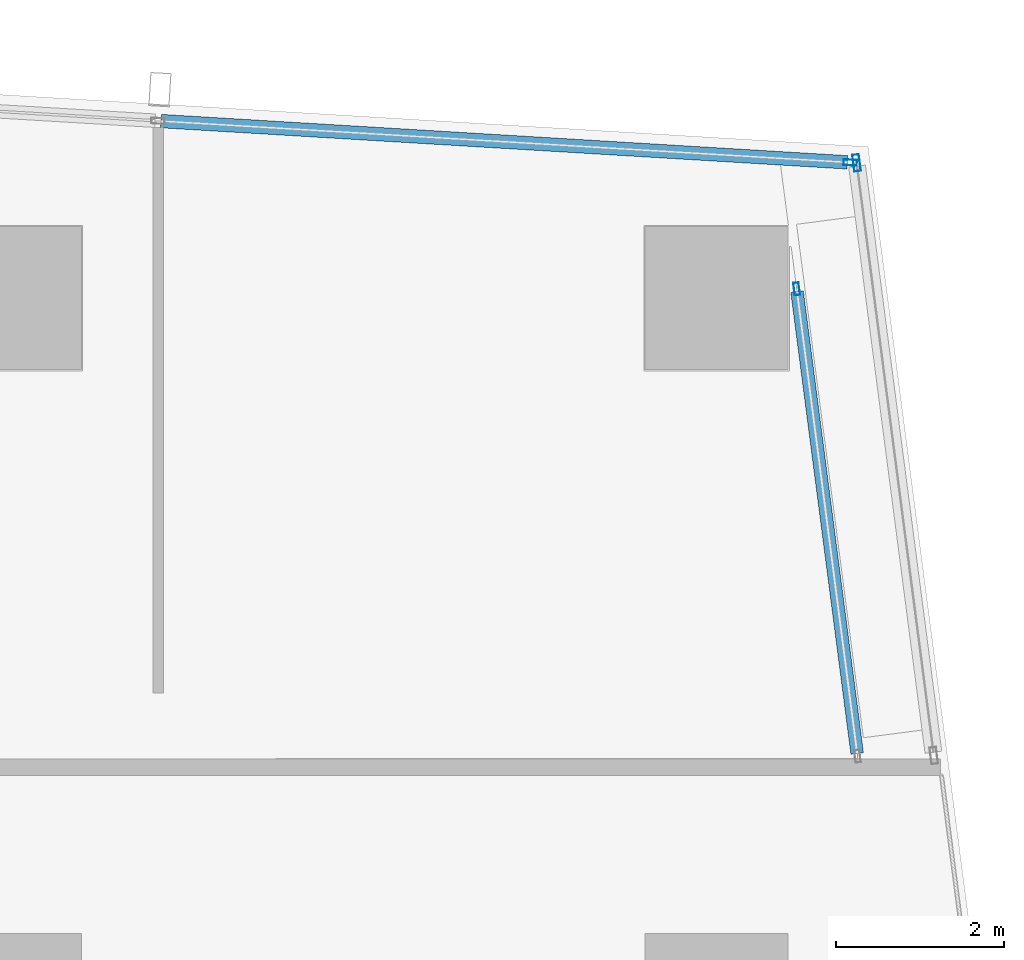
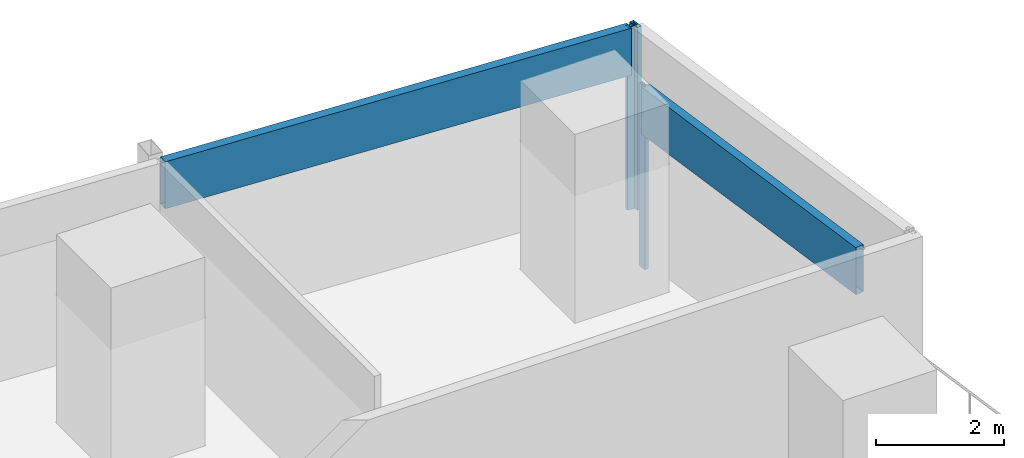
# One storey, part 22 of 40: 5 members, 3 elements without a shape of their own.
"""IFC4 building model written with IfcOpenShell, lengths in metres."""

from ifc_helpers import new_model, si_unit, direction, frame, origin, origin_2d, place, context, subcontext, project, spatial, hollow_rectangle, extrude, material, material_profile, profile_set, type_object, element, aggregate, save


model = new_model("IFC4")

# Units and contexts
model_context = context("Model", 3, precision=1e-05, world=origin(), true_north=direction((0.0, 1.0)))
body_context = subcontext(model_context, "Body", "Model", "MODEL_VIEW")
ifc_project = project(units=[si_unit("LENGTHUNIT", "METRE"), si_unit("AREAUNIT", "SQUARE_METRE"), si_unit("VOLUMEUNIT", "CUBIC_METRE"), si_unit("PLANEANGLEUNIT", "RADIAN"), si_unit("MASSUNIT", "GRAM", prefix="KILO")], contexts=[model_context])

# Site, building, storey
site_placement = place(None, origin())
site = spatial("IfcSite", under=ifc_project, at=site_placement, CompositionType="ELEMENT")
building_placement = place(site_placement, origin())
building = spatial("IfcBuilding", under=site, at=building_placement, Name="Rekha Terrace Tower", CompositionType="ELEMENT")
storey_placement = place(building_placement, frame((0.0, 0.0, 99.050048828125)))
storey = spatial("IfcBuildingStorey", under=building, at=storey_placement, Name="L24", CompositionType="ELEMENT", Elevation=99.050048828125)

# Curtain wall, members
ifc_material_1 = material(Name="Aluminium framing", Category="aluminium")
curtain_wall_type_1 = type_object("IfcCurtainWallType", Name="CW1 double skin inner glazing", PredefinedType="USERDEFINED", material=ifc_material_1)
curtain_wall_1_placement = place(storey_placement, origin())
curtain_wall_1 = element("IfcCurtainWall", 1, at=curtain_wall_1_placement, inside=storey, type_object=curtain_wall_type_1, Name="CW1 double skin inner glazing", ObjectType="DOUBLE SKIN INNER GLAZING", PredefinedType="USERDEFINED")
ifc_material_2 = material(Name="Aluminium mullion section", Category="aluminium")
ifc_material_profile_1 = material_profile(ifc_material_2, hollow_rectangle(XDim=0.06494140625, YDim=0.14990234375, WallThickness=0.00390625, at=origin_2d()), Name="AL RHS 65x150")
ifc_profile_set_1 = profile_set([ifc_material_profile_1], Name="Aluminium mullion section")
member_type_1 = type_object("IfcMemberType", Name="CW1 mullion RHS 65 x 150", PredefinedType="MULLION", material=ifc_profile_set_1)
member_1_placement = place(storey_placement, frame((68.15087890625, 58.910888671875, 0.0), z_axis=(0.0, 0.0, 1.0), x_axis=(-0.991629186228, -0.129118383745, 0.0)))
member_1 = element("IfcMember", 2, at=member_1_placement, type_object=member_type_1, Name="CW1 mullion 2", PredefinedType="MULLION", context=body_context, shape_type="SweptSolid", body=[
    extrude(hollow_rectangle(XDim=0.06494140625, YDim=0.14990234375, WallThickness=0.00390625, at=origin_2d()), origin(), (0.0, 0.0, 1.0), 3.5),
])
ifc_material_3 = material(Name="Insulated aluminium spandrel box", Category="aluminium")
ifc_material_profile_2 = material_profile(ifc_material_3, hollow_rectangle(XDim=0.14990234375, YDim=0.89990234375, WallThickness=0.0029296875, at=origin_2d()), Name="AL SPANDREL BOX 150x900")
ifc_profile_set_2 = profile_set([ifc_material_profile_2], Name="Insulated aluminium spandrel box")
member_type_2 = type_object("IfcMemberType", Name="CW1 spandrel transom 150 x 900", PredefinedType="USERDEFINED", material=ifc_profile_set_2)
member_2_placement = place(storey_placement, frame((68.869873046875, 53.389404296875, 3.050048828125), z_axis=(-0.129092181693, 0.991632597601, 0.0), x_axis=(-0.991632597601, -0.129092181693, 0.0)))
member_2 = element("IfcMember", 3, at=member_2_placement, type_object=member_type_2, Name="CW1 spandrel transom 1", ObjectType="TRANSOM", PredefinedType="USERDEFINED", context=body_context, shape_type="SweptSolid", body=[
    extrude(hollow_rectangle(XDim=0.14990234375, YDim=0.89990234375, WallThickness=0.0029296875, at=origin_2d()), origin(), (0.0, 0.0, 1.0), 5.53564453125),
])
aggregate(curtain_wall_1, [member_1, member_2])

# Curtain wall, member
curtain_wall_type_2 = type_object("IfcCurtainWallType", Name="CW2 double skin outer glazing", PredefinedType="USERDEFINED", material=ifc_material_1)
curtain_wall_2_placement = place(storey_placement, origin())
curtain_wall_2 = element("IfcCurtainWall", 4, at=curtain_wall_2_placement, inside=storey, type_object=curtain_wall_type_2, Name="CW2 double skin outer glazing", ObjectType="DOUBLE SKIN OUTER GLAZING", PredefinedType="USERDEFINED")
ifc_material_profile_3 = material_profile(ifc_material_2, hollow_rectangle(XDim=0.080078125, YDim=0.199951171875, WallThickness=0.00390625, at=origin_2d()), Name="AL RHS 80x200")
ifc_profile_set_3 = profile_set([ifc_material_profile_3], Name="Aluminium mullion section")
member_type_3 = type_object("IfcMemberType", Name="CW2 mullion RHS 80 x 200", PredefinedType="MULLION", material=ifc_profile_set_3)
member_3_placement = place(storey_placement, frame((68.863525390625, 60.408447265625, 0.0), z_axis=(0.0, 0.0, 1.0), x_axis=(-0.991629186232, -0.12911838371, 0.0)))
member_3 = element("IfcMember", 5, at=member_3_placement, type_object=member_type_3, Name="CW2 mullion 2", PredefinedType="MULLION", context=body_context, shape_type="SweptSolid", body=[
    extrude(hollow_rectangle(XDim=0.080078125, YDim=0.199951171875, WallThickness=0.00390625, at=origin_2d()), origin(), (0.0, 0.0, 1.0), 3.5),
])
aggregate(curtain_wall_2, [member_3])

# Curtain wall, members
curtain_wall_type_3 = type_object("IfcCurtainWallType", Name="CW3 north unitised glazing", PredefinedType="USERDEFINED", material=ifc_material_1)
curtain_wall_3_placement = place(storey_placement, origin())
curtain_wall_3 = element("IfcCurtainWall", 6, at=curtain_wall_3_placement, inside=storey, type_object=curtain_wall_type_3, Name="CW3 unitised curtain wall", ObjectType="UNITISED CURTAIN WALL", PredefinedType="USERDEFINED")
ifc_material_profile_4 = material_profile(ifc_material_2, hollow_rectangle(XDim=0.070068359375, YDim=0.159912109375, WallThickness=0.00390625, at=origin_2d()), Name="AL RHS 70x160")
ifc_profile_set_4 = profile_set([ifc_material_profile_4], Name="Aluminium mullion section")
member_type_4 = type_object("IfcMemberType", Name="CW3 mullion RHS 70 x 160", PredefinedType="MULLION", material=ifc_profile_set_4)
member_4_placement = place(storey_placement, frame((68.7880859375, 60.412353515625, 0.0), z_axis=(0.0, 0.0, 1.0), x_axis=(-0.059987926837, -0.998199102701, 0.0)))
member_4 = element("IfcMember", 7, at=member_4_placement, type_object=member_type_4, Name="CW3 mullion 1", PredefinedType="MULLION", context=body_context, shape_type="SweptSolid", body=[
    extrude(hollow_rectangle(XDim=0.070068359375, YDim=0.159912109375, WallThickness=0.00390625, at=origin_2d()), origin(), (0.0, 0.0, 1.0), 3.5),
])
ifc_material_profile_5 = material_profile(ifc_material_3, hollow_rectangle(XDim=0.159912109375, YDim=0.89990234375, WallThickness=0.0029296875, at=origin_2d()), Name="AL SPANDREL BOX 160x900")
ifc_profile_set_5 = profile_set([ifc_material_profile_5], Name="Insulated aluminium spandrel box")
member_type_5 = type_object("IfcMemberType", Name="CW3 spandrel transom 160 x 900", PredefinedType="USERDEFINED", material=ifc_profile_set_5)
member_5_placement = place(storey_placement, frame((68.753173828125, 60.41455078125, 3.050048828125), z_axis=(-0.998198874769, 0.05999171951, 0.0), x_axis=(-0.05999171951, -0.998198874769, 0.0)))
member_5 = element("IfcMember", 8, at=member_5_placement, type_object=member_type_5, Name="CW3 spandrel transom 1", ObjectType="TRANSOM", PredefinedType="USERDEFINED", context=body_context, shape_type="SweptSolid", body=[
    extrude(hollow_rectangle(XDim=0.159912109375, YDim=0.89990234375, WallThickness=0.0029296875, at=origin_2d()), origin(), (0.0, 0.0, 1.0), 8.171630859375),
])
aggregate(curtain_wall_3, [member_4, member_5])

save(model, "model.ifc")
